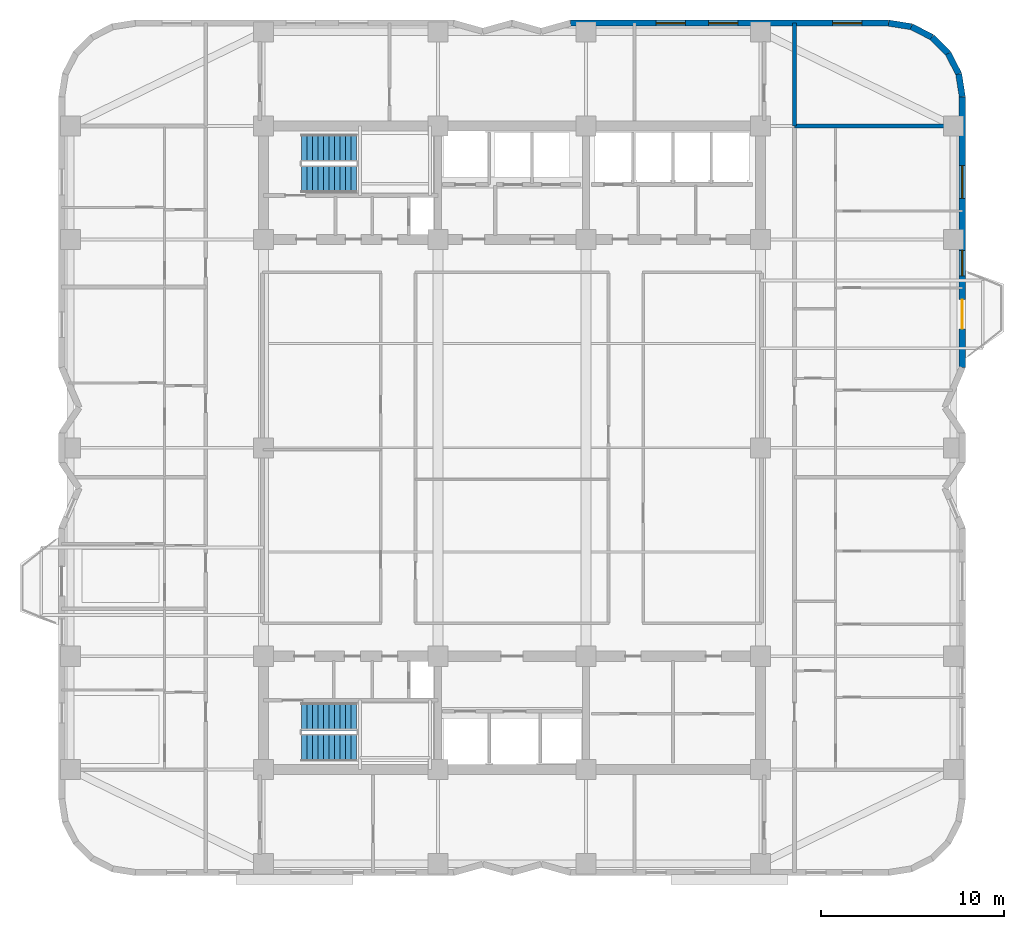
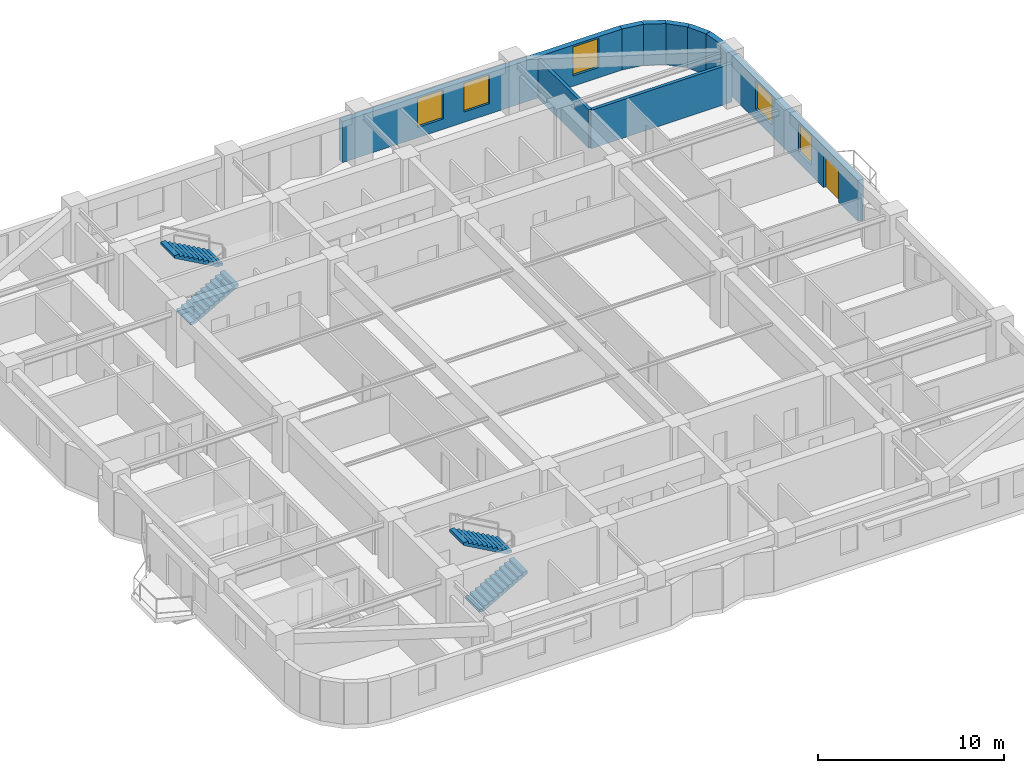
# One storey, part 8 of 10: 9 walls, 5 windows, 4 stair flights, 1 door, 6 openings, 2 elements without a shape of their own.
"""IFC4 building model written with IfcOpenShell, lengths in metres."""

from ifc_helpers import new_model, si_unit, direction, frame, frame_2d, origin, place, context, subcontext, project, spatial, polyline, rectangle, outline, extrude, material, layer, layer_set, type_object, element, fill, aggregate, save


model = new_model("IFC4")

# Units and contexts
model_context = context("Model", 3, precision=1e-05, world=origin(), true_north=direction((0.0, 1.0)))
body_context = subcontext(model_context, "Body", "Model", "MODEL_VIEW")
ifc_project = project(units=[si_unit("LENGTHUNIT", "METRE"), si_unit("AREAUNIT", "SQUARE_METRE"), si_unit("VOLUMEUNIT", "CUBIC_METRE"), si_unit("PLANEANGLEUNIT", "RADIAN"), si_unit("MASSUNIT", "GRAM", prefix="KILO")], contexts=[model_context])

# Site, building, storey
site_placement = place(None, origin())
site = spatial("IfcSite", under=ifc_project, at=site_placement, CompositionType="ELEMENT")
building_placement = place(site_placement, origin())
building = spatial("IfcBuilding", under=site, at=building_placement, Name="Svetorya Sky Lyceum", CompositionType="ELEMENT")
storey_placement = place(building_placement, frame((0.0, 0.0, 95.699951171875)))
storey = spatial("IfcBuildingStorey", under=building, at=storey_placement, Name="L23", CompositionType="ELEMENT", Elevation=95.699951171875)

# Wall, openings, door, windows
ifc_material_1 = material(Name="Putilovo limestone rainscreen on autoclaved cellular masonry", Category="masonry")
ifc_layer_1 = layer(ifc_material_1, 0.340087890625)
ifc_layer_set_1 = layer_set([ifc_layer_1], Name="Putilovo limestone rainscreen on autoclaved cellular masonry")
wall_type_1 = type_object("IfcWallType", Name="WL-EXT-340", PredefinedType="SOLIDWALL", material=ifc_layer_set_1)
wall_1_placement = place(storey_placement, frame((63.830078125, 32.60009765625, 0.0), z_axis=(0.0, 0.0, 1.0), x_axis=(0.0, 1.0, 0.0)))
wall_1 = element("IfcWall", 1, at=wall_1_placement, inside=storey, type_object=wall_type_1, Name="L23 Limestone Exterior Wall 23M", PredefinedType="SOLIDWALL", context=body_context, shape_type="SweptSolid", body=[
    extrude(rectangle(XDim=14.7998046875, YDim=0.340087890625, at=frame_2d((7.39990234375, 0.0))), origin(), (0.0, 0.0, 1.0), 2.699951171875),
])
opening_1_placement = place(wall_1_placement, frame((2.10009765625, 0.0, 0.0)))
opening_1 = element("IfcOpeningElement", 2, at=opening_1_placement, cuts=wall_1, Name="Opening D-BL1", PredefinedType="OPENING", context=body_context, shape_type="SweptSolid", body=[
    extrude(rectangle(XDim=1.60009765625, YDim=2.10009765625, at=frame_2d((0.800048828125, 1.050048828125))), frame((0.0, 0.179931640625, 0.0), z_axis=(0.0, -1.0, 0.0), x_axis=(1.0, 0.0, 0.0)), (0.0, 0.0, 1.0), 0.360107421875),
])
opening_2_placement = place(wall_1_placement, frame((5.0, 0.0, 0.68994140625)))
opening_2 = element("IfcOpeningElement", 3, at=opening_2_placement, cuts=wall_1, Name="Opening W-R2", PredefinedType="OPENING", context=body_context, shape_type="SweptSolid", body=[
    extrude(rectangle(XDim=1.39990234375, YDim=1.85009765625, at=frame_2d((0.699951171875, 0.925048828125))), frame((0.0, 0.179931640625, 0.0), z_axis=(0.0, -1.0, 0.0), x_axis=(1.0, 0.0, 0.0)), (0.0, 0.0, 1.0), 0.360107421875),
])
opening_3_placement = place(wall_1_placement, frame((9.237548828125, 0.0, 0.72998046875)))
opening_3 = element("IfcOpeningElement", 4, at=opening_3_placement, cuts=wall_1, Name="Opening W-R1", PredefinedType="OPENING", context=body_context, shape_type="SweptSolid", body=[
    extrude(rectangle(XDim=1.800048828125, YDim=1.85009765625, at=frame_2d((0.89990234375, 0.925048828125))), frame((0.0, 0.179931640625, 0.0), z_axis=(0.0, -1.0, 0.0), x_axis=(1.0, 0.0, 0.0)), (0.0, 0.0, 1.0), 0.360107421875),
])
ifc_material_2 = material(Name="Insulated glazed aluminium balcony door", Category="aluminium")
door_type = type_object("IfcDoorType", Name="DR-BAL-1600", OperationType="DOUBLE_DOOR_SINGLE_SWING", PredefinedType="DOOR", material=ifc_material_2)
door_placement = place(opening_1_placement, origin())
door = element("IfcDoor", 5, at=door_placement, inside=storey, type_object=door_type, Name="L23 Balcony BAL-E1 Door", OperationType="DOUBLE_DOOR_SINGLE_SWING", OverallHeight=2.10009765625, OverallWidth=1.60009765625, PredefinedType="DOOR", context=body_context, shape_type="SweptSolid", body=[
    extrude(rectangle(XDim=1.60009765625, YDim=2.10009765625, at=frame_2d((0.800048828125, 1.050048828125))), frame((0.0, 0.02490234375, 0.0), z_axis=(0.0, -1.0, 0.0), x_axis=(1.0, 0.0, 0.0)), (0.0, 0.0, 1.0), 0.050048828125),
])
fill(opening_1, door)
ifc_material_3 = material(Name="Thermally broken aluminium frame with triple low-E glazing", Category="aluminium")
window_type_1 = type_object("IfcWindowType", Name="WN-RES-140", PartitioningType="SINGLE_PANEL", PredefinedType="WINDOW", material=ifc_material_3)
window_1_placement = place(opening_2_placement, origin())
window_1 = element("IfcWindow", 6, at=window_1_placement, inside=storey, type_object=window_type_1, Name="L23 Facade Window W-R2.23M.2", OverallHeight=1.85009765625, OverallWidth=1.39990234375, PartitioningType="SINGLE_PANEL", PredefinedType="WINDOW", context=body_context, shape_type="SweptSolid", body=[
    extrude(rectangle(XDim=1.39990234375, YDim=1.85009765625, at=frame_2d((0.699951171875, 0.925048828125))), frame((0.0, 0.030029296875, 0.0), z_axis=(0.0, -1.0, 0.0), x_axis=(1.0, 0.0, 0.0)), (0.0, 0.0, 1.0), 0.06005859375),
])
fill(opening_2, window_1)
window_type_2 = type_object("IfcWindowType", Name="WN-RES-180", PartitioningType="DOUBLE_PANEL_VERTICAL", PredefinedType="WINDOW", material=ifc_material_3)
window_2_placement = place(opening_3_placement, origin())
window_2 = element("IfcWindow", 7, at=window_2_placement, inside=storey, type_object=window_type_2, Name="L23 Facade Window W-R1.23M.1", OverallHeight=1.85009765625, OverallWidth=1.800048828125, PartitioningType="SINGLE_PANEL", PredefinedType="WINDOW", context=body_context, shape_type="SweptSolid", body=[
    extrude(rectangle(XDim=1.800048828125, YDim=1.85009765625, at=frame_2d((0.89990234375, 0.925048828125))), frame((0.0, 0.030029296875, 0.0), z_axis=(0.0, -1.0, 0.0), x_axis=(1.0, 0.0, 0.0)), (0.0, 0.0, 1.0), 0.06005859375),
])
fill(opening_3, window_2)

# Walls
for number, where, z_axis, x_axis, name in (
    (8, (63.830078125, 47.39990234375, 0.0), (0.0, 0.0, 1.0), (-0.15644975923, 0.987685918112, 0.0), "L23 Limestone Exterior Wall 24M"),
    (9, (63.6328125, 48.645263671875, 0.0), (0.0, 0.0, 1.0), (-0.454015689056, 0.890993689142, 0.0), "L23 Limestone Exterior Wall 25M"),
    (10, (63.060302734375, 49.768798828125, 0.0), (0.0, 0.0, 1.0), (-0.707106781187, 0.707106781187, 0.0), "L23 Limestone Exterior Wall 26M"),
):
    element("IfcWall", number, at=place(storey_placement, frame(where, z_axis=z_axis, x_axis=x_axis)), inside=storey, type_object=wall_type_1, Name=name, PredefinedType="SOLIDWALL", context=body_context, shape_type="SweptSolid", body=[
        extrude(rectangle(XDim=1.260986328125, YDim=0.340087890625, at=frame_2d((0.63037109375, 0.0))), origin(), (0.0, 0.0, 1.0), 2.699951171875),
    ])
for number, where, z_axis, x_axis, name in (
    (11, (62.168701171875, 50.660400390625, 0.0), (0.0, 0.0, 1.0), (-0.890953769915, 0.454094020963, 0.0), "L23 Limestone Exterior Wall 27M"),
    (12, (61.04541015625, 51.23291015625, 0.0), (0.0, 0.0, 1.0), (-0.98771582066, 0.156260864002, 0.0), "L23 Limestone Exterior Wall 28M"),
):
    element("IfcWall", number, at=place(storey_placement, frame(where, z_axis=z_axis, x_axis=x_axis)), inside=storey, type_object=wall_type_1, Name=name, PredefinedType="SOLIDWALL", context=body_context, shape_type="SweptSolid", body=[
        extrude(rectangle(XDim=1.2607421875, YDim=0.340087890625, at=frame_2d((0.63037109375, 0.0))), origin(), (0.0, 0.0, 1.0), 2.699951171875),
    ])

# Wall, openings, windows
wall_2_placement = place(storey_placement, frame((59.800048828125, 51.429931640625, 0.0), z_axis=(0.0, 0.0, 1.0), x_axis=(-1.0, 0.0, 0.0)))
wall_2 = element("IfcWall", 13, at=wall_2_placement, inside=storey, type_object=wall_type_1, Name="L23 Limestone Exterior Wall 29M", PredefinedType="SOLIDWALL", context=body_context, shape_type="SweptSolid", body=[
    extrude(rectangle(XDim=17.400146484375, YDim=0.340087890625, at=frame_2d((8.7001953125, 0.0))), origin(), (0.0, 0.0, 1.0), 2.699951171875),
])
opening_4_placement = place(wall_2_placement, frame((1.4599609375, 0.0, 0.679931640625)))
opening_4 = element("IfcOpeningElement", 14, at=opening_4_placement, cuts=wall_2, Name="Opening W-R4", PredefinedType="OPENING", context=body_context, shape_type="SweptSolid", body=[
    extrude(rectangle(XDim=1.60009765625, YDim=1.89990234375, at=frame_2d((0.800048828125, 0.949951171875))), frame((0.0, 0.179931640625, 0.0), z_axis=(0.0, -1.0, 0.0), x_axis=(1.0, 0.0, 0.0)), (0.0, 0.0, 1.0), 0.360107421875),
])
opening_5_placement = place(wall_2_placement, frame((8.25, 0.0, 0.679931640625)))
opening_5 = element("IfcOpeningElement", 15, at=opening_5_placement, cuts=wall_2, Name="Opening W-R4", PredefinedType="OPENING", context=body_context, shape_type="SweptSolid", body=[
    extrude(rectangle(XDim=1.60009765625, YDim=1.89990234375, at=frame_2d((0.800048828125, 0.949951171875))), frame((0.0, 0.179931640625, 0.0), z_axis=(0.0, -1.0, 0.0), x_axis=(1.0, 0.0, 0.0)), (0.0, 0.0, 1.0), 0.360107421875),
])
opening_6_placement = place(wall_2_placement, frame((11.1201171875, 0.0, 0.679931640625)))
opening_6 = element("IfcOpeningElement", 16, at=opening_6_placement, cuts=wall_2, Name="Opening W-R4", PredefinedType="OPENING", context=body_context, shape_type="SweptSolid", body=[
    extrude(rectangle(XDim=1.60009765625, YDim=1.89990234375, at=frame_2d((0.800048828125, 0.949951171875))), frame((0.0, 0.179931640625, 0.0), z_axis=(0.0, -1.0, 0.0), x_axis=(1.0, 0.0, 0.0)), (0.0, 0.0, 1.0), 0.360107421875),
])
window_type_3 = type_object("IfcWindowType", Name="WN-RES-160", PartitioningType="DOUBLE_PANEL_VERTICAL", PredefinedType="WINDOW", material=ifc_material_3)
window_3_placement = place(opening_4_placement, origin())
window_3 = element("IfcWindow", 17, at=window_3_placement, inside=storey, type_object=window_type_3, Name="L23 Facade Window W-R4.29M.1", OverallHeight=1.89990234375, OverallWidth=1.60009765625, PartitioningType="SINGLE_PANEL", PredefinedType="WINDOW", context=body_context, shape_type="SweptSolid", body=[
    extrude(rectangle(XDim=1.60009765625, YDim=1.89990234375, at=frame_2d((0.800048828125, 0.949951171875))), frame((0.0, 0.030029296875, 0.0), z_axis=(0.0, -1.0, 0.0), x_axis=(1.0, 0.0, 0.0)), (0.0, 0.0, 1.0), 0.06005859375),
])
fill(opening_4, window_3)
window_4_placement = place(opening_5_placement, origin())
window_4 = element("IfcWindow", 18, at=window_4_placement, inside=storey, type_object=window_type_3, Name="L23 Facade Window W-R4.29M.2", OverallHeight=1.89990234375, OverallWidth=1.60009765625, PartitioningType="SINGLE_PANEL", PredefinedType="WINDOW", context=body_context, shape_type="SweptSolid", body=[
    extrude(rectangle(XDim=1.60009765625, YDim=1.89990234375, at=frame_2d((0.800048828125, 0.949951171875))), frame((0.0, 0.030029296875, 0.0), z_axis=(0.0, -1.0, 0.0), x_axis=(1.0, 0.0, 0.0)), (0.0, 0.0, 1.0), 0.06005859375),
])
fill(opening_5, window_4)
window_5_placement = place(opening_6_placement, origin())
window_5 = element("IfcWindow", 19, at=window_5_placement, inside=storey, type_object=window_type_3, Name="L23 Facade Window W-R4.29M.3", OverallHeight=1.89990234375, OverallWidth=1.60009765625, PartitioningType="SINGLE_PANEL", PredefinedType="WINDOW", context=body_context, shape_type="SweptSolid", body=[
    extrude(rectangle(XDim=1.60009765625, YDim=1.89990234375, at=frame_2d((0.800048828125, 0.949951171875))), frame((0.0, 0.030029296875, 0.0), z_axis=(0.0, -1.0, 0.0), x_axis=(1.0, 0.0, 0.0)), (0.0, 0.0, 1.0), 0.06005859375),
])
fill(opening_6, window_5)

# Walls
ifc_material_4 = material(Name="Autoclaved cellular masonry blockwork with gypsum plaster", Category="masonry")
ifc_layer_2 = layer(ifc_material_4, 0.199951171875)
ifc_layer_set_2 = layer_set([ifc_layer_2], Name="Autoclaved cellular masonry blockwork with gypsum plaster")
wall_type_2 = type_object("IfcWallType", Name="WL-PART-200", PredefinedType="PARTITIONING", material=ifc_layer_set_2)
wall_3_placement = place(storey_placement, frame((54.64990234375, 45.800048828125, 0.0), z_axis=(0.0, 0.0, 1.0), x_axis=(1.0, 0.0, 0.0)))
element("IfcWall", 20, at=wall_3_placement, inside=storey, type_object=wall_type_2, Name="L23 Interior Partition E-CAP-N", PredefinedType="PARTITIONING", context=body_context, shape_type="SweptSolid", body=[
    extrude(rectangle(XDim=8.760009765625, YDim=0.199951171875, at=frame_2d((4.3798828125, 0.0))), origin(), (0.0, 0.0, 1.0), 2.530029296875),
])
wall_4_placement = place(storey_placement, frame((54.64990234375, 45.800048828125, 0.0), z_axis=(0.0, 0.0, 1.0), x_axis=(0.0, 1.0, 0.0)))
element("IfcWall", 21, at=wall_4_placement, inside=storey, type_object=wall_type_2, Name="L23 Interior Partition EC-NE-END", PredefinedType="PARTITIONING", context=body_context, shape_type="SweptSolid", body=[
    extrude(rectangle(XDim=5.6298828125, YDim=0.199951171875, at=frame_2d((2.81494140625, 0.0))), origin(), (0.0, 0.0, 1.0), 2.530029296875),
])

# Stair, stair flights
ifc_material_5 = material(Name="Concrete C40/50", Category="concrete")
stair_type_1 = type_object("IfcStairType", Name="STR-ST-N", PredefinedType="HALF_TURN_STAIR", material=ifc_material_5)
stair_1_placement = place(storey_placement, origin())
stair_1 = element("IfcStair", 22, at=stair_1_placement, inside=storey, type_object=stair_type_1, Name="L23 North Core Smoke-Free Exit Stair N3", PredefinedType="HALF_TURN_STAIR")
stair_flight_type_1 = type_object("IfcStairFlightType", Name="SFL-ST-N", PredefinedType="STRAIGHT", material=ifc_material_5)
stair_flight_1_placement = place(storey_placement, frame((27.699951171875, 42.89990234375, 0.0), z_axis=(0.0, 0.0, 1.0), x_axis=(1.0, 0.0, 0.0)))
stair_flight_1 = element("IfcStairFlight", 23, at=stair_flight_1_placement, type_object=stair_flight_type_1, Name="ST-N flight 1", NumberOfRisers=11, NumberOfTreads=10, PredefinedType="STRAIGHT", RiserHeight=0.168181818, TreadLength=0.3, context=body_context, shape_type="SweptSolid", body=[
    extrude(outline(polyline([(0.0, 0.0), (0.0, 0.168212890625), (0.300048828125, 0.168212890625), (0.300048828125, 0.33642578125), (0.60009765625, 0.33642578125), (0.60009765625, 0.504638671875), (0.89990234375, 0.504638671875), (0.89990234375, 0.672607421875), (1.199951171875, 0.672607421875), (1.199951171875, 0.8408203125), (1.5, 0.8408203125), (1.5, 1.009033203125), (1.800048828125, 1.009033203125), (1.800048828125, 1.17724609375), (2.10009765625, 1.17724609375), (2.10009765625, 1.345458984375), (2.39990234375, 1.345458984375), (2.39990234375, 1.513671875), (2.699951171875, 1.513671875), (2.699951171875, 1.681884765625), (3.0, 1.681884765625), (3.0, 1.85009765625), (3.0, 1.510009765625), (0.306640625, 0.0), (0.0, 0.0)])), frame((0.0, 0.75, 0.0), z_axis=(0.0, -1.0, 0.0), x_axis=(1.0, 0.0, 0.0)), (0.0, 0.0, 1.0), 1.5),
])
stair_flight_2_placement = place(storey_placement, frame((30.699951171875, 44.60009765625, 1.85009765625), z_axis=(0.0, 0.0, 1.0), x_axis=(-1.0, 0.0, 0.0)))
stair_flight_2 = element("IfcStairFlight", 24, at=stair_flight_2_placement, type_object=stair_flight_type_1, Name="ST-N flight 2", NumberOfRisers=11, NumberOfTreads=10, PredefinedType="STRAIGHT", RiserHeight=0.168181818, TreadLength=0.3, context=body_context, shape_type="SweptSolid", body=[
    extrude(outline(polyline([(0.0, 0.0), (0.0, 0.168212890625), (0.300048828125, 0.168212890625), (0.300048828125, 0.33642578125), (0.60009765625, 0.33642578125), (0.60009765625, 0.504638671875), (0.89990234375, 0.504638671875), (0.89990234375, 0.672607421875), (1.199951171875, 0.672607421875), (1.199951171875, 0.8408203125), (1.5, 0.8408203125), (1.5, 1.009033203125), (1.800048828125, 1.009033203125), (1.800048828125, 1.17724609375), (2.10009765625, 1.17724609375), (2.10009765625, 1.345458984375), (2.39990234375, 1.345458984375), (2.39990234375, 1.513671875), (2.699951171875, 1.513671875), (2.699951171875, 1.681884765625), (3.0, 1.681884765625), (3.0, 1.85009765625), (3.0, 1.510009765625), (0.306640625, 0.0), (0.0, 0.0)])), frame((0.0, 0.75, 0.0), z_axis=(0.0, -1.0, 0.0), x_axis=(1.0, 0.0, 0.0)), (0.0, 0.0, 1.0), 1.5),
])
aggregate(stair_1, [stair_flight_1, stair_flight_2])

stair_type_2 = type_object("IfcStairType", Name="STR-ST-S", PredefinedType="HALF_TURN_STAIR", material=ifc_material_5)
stair_2_placement = place(storey_placement, origin())
stair_2 = element("IfcStair", 25, at=stair_2_placement, inside=storey, type_object=stair_type_2, Name="L23 South Core Smoke-Free Exit Stair N2", PredefinedType="HALF_TURN_STAIR")
stair_flight_type_2 = type_object("IfcStairFlightType", Name="SFL-ST-S", PredefinedType="STRAIGHT", material=ifc_material_5)
stair_flight_3_placement = place(storey_placement, frame((27.699951171875, 11.800048828125, 0.0), z_axis=(0.0, 0.0, 1.0), x_axis=(1.0, 0.0, 0.0)))
stair_flight_3 = element("IfcStairFlight", 26, at=stair_flight_3_placement, type_object=stair_flight_type_2, Name="ST-S flight 1", NumberOfRisers=11, NumberOfTreads=10, PredefinedType="STRAIGHT", RiserHeight=0.168181818, TreadLength=0.3, context=body_context, shape_type="SweptSolid", body=[
    extrude(outline(polyline([(0.0, 0.0), (0.0, 0.168212890625), (0.300048828125, 0.168212890625), (0.300048828125, 0.33642578125), (0.60009765625, 0.33642578125), (0.60009765625, 0.504638671875), (0.89990234375, 0.504638671875), (0.89990234375, 0.672607421875), (1.199951171875, 0.672607421875), (1.199951171875, 0.8408203125), (1.5, 0.8408203125), (1.5, 1.009033203125), (1.800048828125, 1.009033203125), (1.800048828125, 1.17724609375), (2.10009765625, 1.17724609375), (2.10009765625, 1.345458984375), (2.39990234375, 1.345458984375), (2.39990234375, 1.513671875), (2.699951171875, 1.513671875), (2.699951171875, 1.681884765625), (3.0, 1.681884765625), (3.0, 1.85009765625), (3.0, 1.510009765625), (0.306640625, 0.0), (0.0, 0.0)])), frame((0.0, 0.75, 0.0), z_axis=(0.0, -1.0, 0.0), x_axis=(1.0, 0.0, 0.0)), (0.0, 0.0, 1.0), 1.5),
])
stair_flight_4_placement = place(storey_placement, frame((30.699951171875, 13.5, 1.85009765625), z_axis=(0.0, 0.0, 1.0), x_axis=(-1.0, 0.0, 0.0)))
stair_flight_4 = element("IfcStairFlight", 27, at=stair_flight_4_placement, type_object=stair_flight_type_2, Name="ST-S flight 2", NumberOfRisers=11, NumberOfTreads=10, PredefinedType="STRAIGHT", RiserHeight=0.168181818, TreadLength=0.3, context=body_context, shape_type="SweptSolid", body=[
    extrude(outline(polyline([(0.0, 0.0), (0.0, 0.168212890625), (0.300048828125, 0.168212890625), (0.300048828125, 0.33642578125), (0.60009765625, 0.33642578125), (0.60009765625, 0.504638671875), (0.89990234375, 0.504638671875), (0.89990234375, 0.672607421875), (1.199951171875, 0.672607421875), (1.199951171875, 0.8408203125), (1.5, 0.8408203125), (1.5, 1.009033203125), (1.800048828125, 1.009033203125), (1.800048828125, 1.17724609375), (2.10009765625, 1.17724609375), (2.10009765625, 1.345458984375), (2.39990234375, 1.345458984375), (2.39990234375, 1.513671875), (2.699951171875, 1.513671875), (2.699951171875, 1.681884765625), (3.0, 1.681884765625), (3.0, 1.85009765625), (3.0, 1.510009765625), (0.306640625, 0.0), (0.0, 0.0)])), frame((0.0, 0.75, 0.0), z_axis=(0.0, -1.0, 0.0), x_axis=(1.0, 0.0, 0.0)), (0.0, 0.0, 1.0), 1.5),
])
aggregate(stair_2, [stair_flight_3, stair_flight_4])

save(model, "model.ifc")
